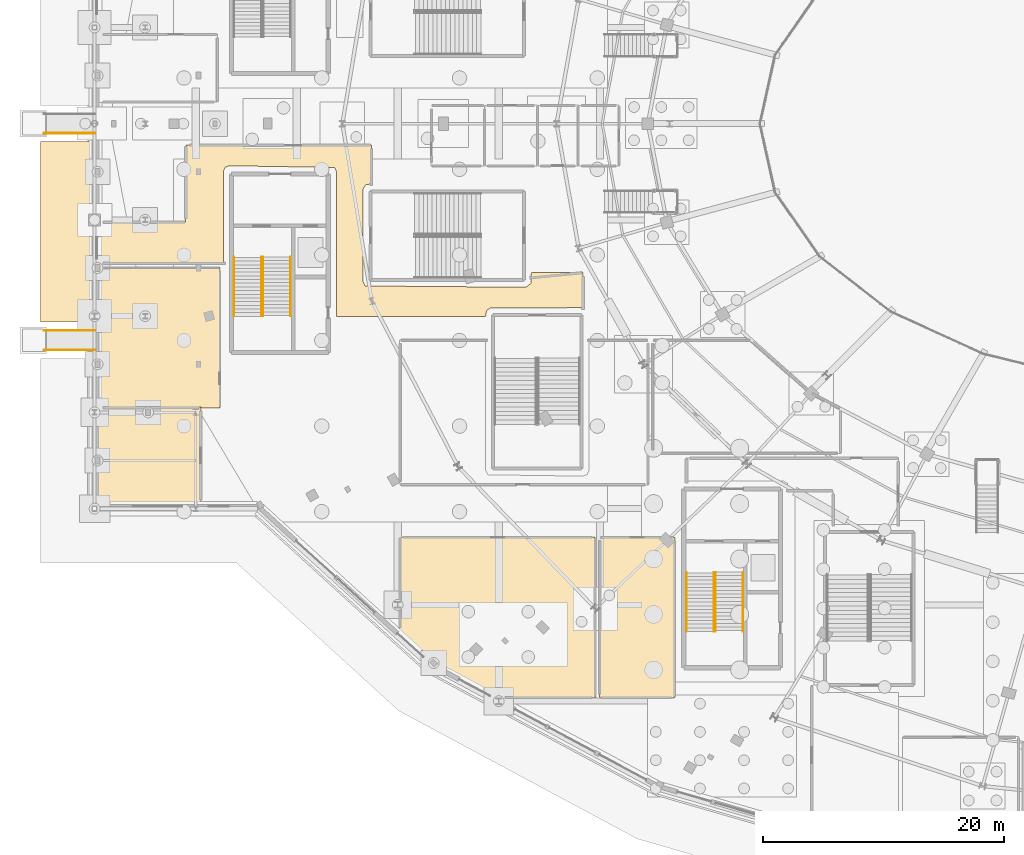
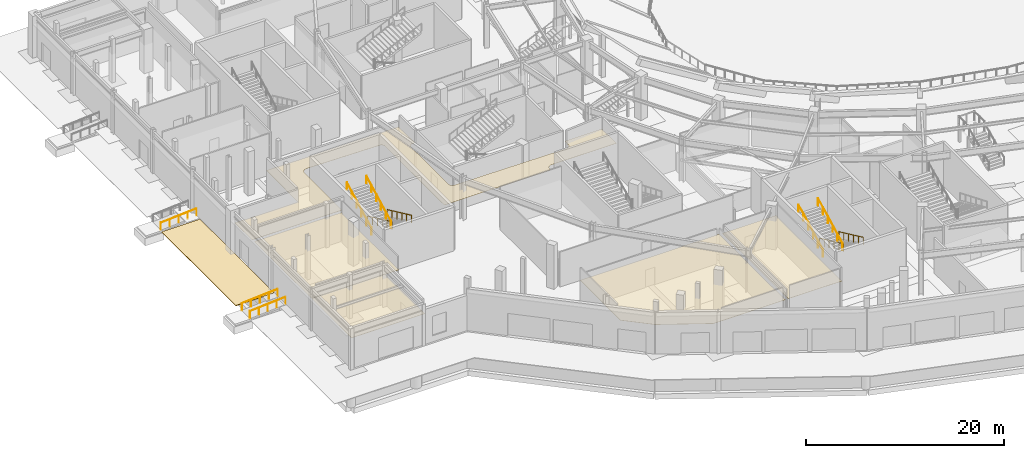
# One storey, part 69 of 93: 11 railings, 6 coverings.
"""IFC4 building model written with IfcOpenShell, lengths in metres."""

from ifc_helpers import new_model, si_unit, direction, frame, origin, origin_2d, place, context, subcontext, project, spatial, polyline, circle, outline, extrude, material, layer, layer_set, type_object, element, save


model = new_model("IFC4")

# Units and contexts
model_context = context("Model", 3, precision=1e-05, world=origin(), true_north=direction((0.0, 1.0)))
body_context = subcontext(model_context, "Body", "Model", "MODEL_VIEW")
ifc_project = project(units=[si_unit("LENGTHUNIT", "METRE"), si_unit("AREAUNIT", "SQUARE_METRE"), si_unit("VOLUMEUNIT", "CUBIC_METRE"), si_unit("PLANEANGLEUNIT", "RADIAN"), si_unit("MASSUNIT", "GRAM", prefix="KILO")], contexts=[model_context])

# Site, building, storey
site_placement = place(None, origin())
site = spatial("IfcSite", under=ifc_project, at=site_placement, CompositionType="ELEMENT")
building_placement = place(site_placement, origin())
building = spatial("IfcBuilding", under=site, at=building_placement, Name="Kalgoora Escarpment Arena", CompositionType="ELEMENT")
storey_placement = place(building_placement, origin())
storey = spatial("IfcBuildingStorey", under=building, at=storey_placement, Name="L00", CompositionType="ELEMENT", Elevation=0.0)

# Coverings
ifc_material_1 = material(Name="Perforated acoustic mineral-fibre ceiling tile")
ifc_layer_1 = layer(ifc_material_1, 0.02490234375)
ifc_layer_set_1 = layer_set([ifc_layer_1], Name="COV-CEIL-ACOUSTIC")
covering_type_1 = type_object("IfcCoveringType", Name="COV-CEIL-ACOUSTIC", PredefinedType="CEILING", material=ifc_layer_set_1)
covering_1_placement = place(storey_placement, frame((0.0, 0.0, 3.47998046875)))
element("IfcCovering", 1, at=covering_1_placement, inside=storey, type_object=covering_type_1, Name="L00 Fire Control Centre acoustic suspended ceiling", PredefinedType="CEILING", context=body_context, shape_type="SweptSolid", body=[
    extrude(outline(polyline([(0.2607421875, 40.40771484375), (8.828369140625, 40.42822265625), (8.828369140625, 32.37158203125), (0.271728515625, 32.37158203125), (0.2607421875, 40.40771484375)])), origin(), (0.0, 0.0, 1.0), 0.02490234375),
])
covering_2_placement = place(storey_placement, frame((0.0, 0.0, 3.47998046875)))
element("IfcCovering", 2, at=covering_2_placement, inside=storey, type_object=covering_type_1, Name="L00 Home Athlete Dressing Room acoustic suspended ceiling", PredefinedType="CEILING", context=body_context, shape_type="SweptSolid", body=[
    extrude(outline(polyline([(41.60791015625, 29.63916015625), (41.618896484375, 16.2646484375), (33.227783203125, 16.260009765625), (28.0283203125, 19.051025390625), (25.360107421875, 21.48388671875), (25.381103515625, 29.63525390625), (41.60791015625, 29.63916015625)])), origin(), (0.0, 0.0, 1.0), 0.02490234375),
])
covering_3_placement = place(storey_placement, frame((0.0, 0.0, 3.47998046875)))
element("IfcCovering", 3, at=covering_3_placement, inside=storey, type_object=covering_type_1, Name="L00 Away Athlete Dressing Room acoustic suspended ceiling", PredefinedType="CEILING", context=body_context, shape_type="SweptSolid", body=[
    extrude(outline(polyline([(41.960693359375, 29.60791015625), (48.237060546875, 29.615234375), (48.21533203125, 16.262939453125), (41.962890625, 16.28466796875), (41.960693359375, 29.60791015625)])), origin(), (0.0, 0.0, 1.0), 0.02490234375),
])
covering_4_placement = place(storey_placement, frame((0.0, 0.0, 3.47998046875)))
element("IfcCovering", 4, at=covering_4_placement, inside=storey, type_object=covering_type_1, Name="L00 Security Marshalling Office acoustic suspended ceiling", PredefinedType="CEILING", context=body_context, shape_type="SweptSolid", body=[
    extrude(outline(polyline([(0.2607421875, 52.0078125), (10.430908203125, 52.025390625), (10.42529296875, 40.368896484375), (0.26904296875, 40.45458984375), (0.2607421875, 52.0078125)])), origin(), (0.0, 0.0, 1.0), 0.02490234375),
])
covering_5_placement = place(storey_placement, frame((0.0, 0.0, 3.47998046875)))
element("IfcCovering", 5, at=covering_5_placement, inside=storey, type_object=covering_type_1, Name="L00 West Protected Exit Passageway acoustic suspended ceiling", PredefinedType="CEILING", context=body_context, shape_type="SweptSolid", body=[
    extrude(outline(polyline([(0.216064453125, 52.360107421875), (0.201171875, 55.835205078125), (7.56005859375, 55.840087890625), (7.584716796875, 62.237060546875), (23.00390625, 62.23974609375), (23.047119140625, 59.0), (22.522216796875, 58.915771484375), (22.300048828125, 58.5), (22.300048828125, 50.89990234375), (22.48291015625, 50.513427734375), (35.84912109375, 50.40234375), (36.261962890625, 50.708740234375), (36.300048828125, 51.639892578125), (40.60400390625, 51.639892578125), (40.639892578125, 48.697998046875), (32.950927734375, 48.697509765625), (32.584228515625, 48.477783203125), (32.5, 47.9599609375), (20.10009765625, 47.9599609375), (20.10009765625, 60.0), (19.95361328125, 60.353515625), (11.199951171875, 60.5), (10.846435546875, 60.353515625), (10.699951171875, 60.0), (10.699951171875, 52.360107421875), (0.216064453125, 52.360107421875)])), origin(), (0.0, 0.0, 1.0), 0.02490234375),
])
ifc_material_2 = material(Name="Honed Kimberley sandstone paving", Category="masonry")
ifc_layer_2 = layer(ifc_material_2, 0.06494140625)
ifc_layer_set_2 = layer_set([ifc_layer_2], Name="COV-PAVING-FORECOURT")
covering_type_2 = type_object("IfcCoveringType", Name="COV-PAVING-FORECOURT", PredefinedType="USERDEFINED", material=ifc_layer_set_2)
covering_6_placement = place(storey_placement, frame((0.0, 0.0, -0.06494140625)))
element("IfcCovering", 6, at=covering_6_placement, inside=storey, type_object=covering_type_2, Name="Perimeter pedestrian egress apron paving 02", ObjectType="PAVING", PredefinedType="USERDEFINED", context=body_context, shape_type="SweptSolid", body=[
    extrude(outline(polyline([(-0.02001953125, 62.5), (-0.02001953125, 47.5), (-4.5, 47.5), (-4.5, 62.5), (-0.02001953125, 62.5)])), origin(), (0.0, 0.0, 1.0), 0.06494140625),
])

# Railings
ifc_material_3 = material(Name="Brushed stainless steel 316 handrail", Category="steel")
railing_type = type_object("IfcRailingType", Name="RAL-HAND-920", PredefinedType="HANDRAIL", material=ifc_material_3)
for number, where, name in (
    (7, (16.300048828125, 52.909912109375, 0.37890625), "ST02 L00 pitched stair handrail F1L"),
    (8, (14.014892578125, 52.909912109375, 0.37890625), "ST02 L00 pitched stair handrail F1R"),
):
    element("IfcRailing", number, at=place(storey_placement, frame(where)), inside=storey, type_object=railing_type, Name=name, PredefinedType="HANDRAIL", context=body_context, shape_type="SweptSolid", body=[
        extrude(circle(Radius=0.02392578125, at=origin_2d()), frame((0.0, 0.0, 0.89599609375), z_axis=(0.0, -0.906909903537, 0.421324609852), x_axis=(1.0, 0.0, 0.0)), (0.0, 0.0, 1.0), 5.413818359375),
        extrude(circle(Radius=0.02099609375, at=origin_2d()), origin(), (0.0, 0.0, 1.0), 0.871826171875),
        extrude(circle(Radius=0.02099609375, at=origin_2d()), frame((0.0, -0.98193359375, 0.456298828125)), (0.0, 0.0, 1.0), 0.871826171875),
        extrude(circle(Radius=0.02099609375, at=origin_2d()), frame((0.0, -1.9638671875, 0.912353515625)), (0.0, 0.0, 1.0), 0.871826171875),
        extrude(circle(Radius=0.02099609375, at=origin_2d()), frame((0.0, -2.946044921875, 1.36865234375)), (0.0, 0.0, 1.0), 0.871826171875),
        extrude(circle(Radius=0.02099609375, at=origin_2d()), frame((0.0, -3.927978515625, 1.82470703125)), (0.0, 0.0, 1.0), 0.871826171875),
        extrude(circle(Radius=0.02099609375, at=origin_2d()), frame((0.0, -4.909912109375, 2.281005859375)), (0.0, 0.0, 1.0), 0.871826171875),
    ])
for number, where, name in (
    (9, (13.885009765625, 48.0, 2.81884765625), "ST02 L00 pitched stair handrail F2L"),
    (10, (11.60009765625, 48.0, 2.81884765625), "ST02 L00 pitched stair handrail F2R"),
):
    element("IfcRailing", number, at=place(storey_placement, frame(where)), inside=storey, type_object=railing_type, Name=name, PredefinedType="HANDRAIL", context=body_context, shape_type="SweptSolid", body=[
        extrude(circle(Radius=0.02392578125, at=origin_2d()), frame((0.0, 0.0, 0.89599609375), z_axis=(0.0, 0.88809582064, 0.459658365921), x_axis=(-1.0, 0.0, 0.0)), (0.0, 0.0, 1.0), 5.528564453125),
        extrude(circle(Radius=0.02099609375, at=origin_2d()), origin(), (0.0, 0.0, 1.0), 0.871826171875),
        extrude(circle(Radius=0.02099609375, at=origin_2d()), frame((0.0, 0.98193359375, 0.50830078125)), (0.0, 0.0, 1.0), 0.871826171875),
        extrude(circle(Radius=0.02099609375, at=origin_2d()), frame((0.0, 1.9638671875, 1.0166015625)), (0.0, 0.0, 1.0), 0.871826171875),
        extrude(circle(Radius=0.02099609375, at=origin_2d()), frame((0.0, 2.946044921875, 1.524658203125)), (0.0, 0.0, 1.0), 0.871826171875),
        extrude(circle(Radius=0.02099609375, at=origin_2d()), frame((0.0, 3.927978515625, 2.032958984375)), (0.0, 0.0, 1.0), 0.871826171875),
        extrude(circle(Radius=0.02099609375, at=origin_2d()), frame((0.0, 4.909912109375, 2.541259765625)), (0.0, 0.0, 1.0), 0.871826171875),
    ])
for number, where, name in (
    (11, (53.89990234375, 26.7099609375, 0.37890625), "ST05 L00 pitched stair handrail F1L"),
    (12, (51.6201171875, 26.7099609375, 0.37890625), "ST05 L00 pitched stair handrail F1R"),
):
    element("IfcRailing", number, at=place(storey_placement, frame(where)), inside=storey, type_object=railing_type, Name=name, PredefinedType="HANDRAIL", context=body_context, shape_type="SweptSolid", body=[
        extrude(circle(Radius=0.02392578125, at=origin_2d()), frame((0.0, 0.0, 0.89599609375), z_axis=(0.0, -0.906909903537, 0.421324609852), x_axis=(1.0, 0.0, 0.0)), (0.0, 0.0, 1.0), 5.413818359375),
        extrude(circle(Radius=0.02099609375, at=origin_2d()), origin(), (0.0, 0.0, 1.0), 0.871826171875),
        extrude(circle(Radius=0.02099609375, at=origin_2d()), frame((0.0, -0.98193359375, 0.456298828125)), (0.0, 0.0, 1.0), 0.871826171875),
        extrude(circle(Radius=0.02099609375, at=origin_2d()), frame((0.0, -1.9638671875, 0.912353515625)), (0.0, 0.0, 1.0), 0.871826171875),
        extrude(circle(Radius=0.02099609375, at=origin_2d()), frame((0.0, -2.946044921875, 1.36865234375)), (0.0, 0.0, 1.0), 0.871826171875),
        extrude(circle(Radius=0.02099609375, at=origin_2d()), frame((0.0, -3.927978515625, 1.82470703125)), (0.0, 0.0, 1.0), 0.871826171875),
        extrude(circle(Radius=0.02099609375, at=origin_2d()), frame((0.0, -4.909912109375, 2.281005859375)), (0.0, 0.0, 1.0), 0.871826171875),
    ])
for number, where, name in (
    (13, (51.47998046875, 21.800048828125, 2.81884765625), "ST05 L00 pitched stair handrail F2L"),
    (14, (49.199951171875, 21.800048828125, 2.81884765625), "ST05 L00 pitched stair handrail F2R"),
):
    element("IfcRailing", number, at=place(storey_placement, frame(where)), inside=storey, type_object=railing_type, Name=name, PredefinedType="HANDRAIL", context=body_context, shape_type="SweptSolid", body=[
        extrude(circle(Radius=0.02392578125, at=origin_2d()), frame((0.0, 0.0, 0.89599609375), z_axis=(0.0, 0.88809582064, 0.459658365921), x_axis=(-1.0, 0.0, 0.0)), (0.0, 0.0, 1.0), 5.528564453125),
        extrude(circle(Radius=0.02099609375, at=origin_2d()), origin(), (0.0, 0.0, 1.0), 0.871826171875),
        extrude(circle(Radius=0.02099609375, at=origin_2d()), frame((0.0, 0.98193359375, 0.50830078125)), (0.0, 0.0, 1.0), 0.871826171875),
        extrude(circle(Radius=0.02099609375, at=origin_2d()), frame((0.0, 1.9638671875, 1.0166015625)), (0.0, 0.0, 1.0), 0.871826171875),
        extrude(circle(Radius=0.02099609375, at=origin_2d()), frame((0.0, 2.946044921875, 1.524658203125)), (0.0, 0.0, 1.0), 0.871826171875),
        extrude(circle(Radius=0.02099609375, at=origin_2d()), frame((0.0, 3.927978515625, 2.032958984375)), (0.0, 0.0, 1.0), 0.871826171875),
        extrude(circle(Radius=0.02099609375, at=origin_2d()), frame((0.0, 4.909912109375, 2.541259765625)), (0.0, 0.0, 1.0), 0.871826171875),
    ])
for number, where, name in (
    (15, (-4.199951171875, 45.199951171875, -0.300048828125), "Accessible ramp RMP-01 handrail L"),
    (16, (-4.199951171875, 46.800048828125, -0.300048828125), "Accessible ramp RMP-01 handrail R"),
    (17, (-4.199951171875, 63.199951171875, -0.300048828125), "Accessible ramp RMP-02 handrail L"),
):
    element("IfcRailing", number, at=place(storey_placement, frame(where)), inside=storey, type_object=railing_type, Name=name, PredefinedType="HANDRAIL", context=body_context, shape_type="SweptSolid", body=[
        extrude(circle(Radius=0.02392578125, at=origin_2d()), frame((0.0, 0.0, 0.89599609375), z_axis=(0.997457816785, 0.0, 0.071259411546), x_axis=(0.0, 1.0, 0.0)), (0.0, 0.0, 1.0), 4.210693359375),
        extrude(circle(Radius=0.02099609375, at=origin_2d()), origin(), (0.0, 0.0, 1.0), 0.871826171875),
        extrude(circle(Radius=0.02099609375, at=origin_2d()), frame((1.050048828125, 0.0, 0.074951171875)), (0.0, 0.0, 1.0), 0.871826171875),
        extrude(circle(Radius=0.02099609375, at=origin_2d()), frame((2.10009765625, 0.0, 0.14990234375)), (0.0, 0.0, 1.0), 0.871826171875),
        extrude(circle(Radius=0.02099609375, at=origin_2d()), frame((3.14990234375, 0.0, 0.22509765625)), (0.0, 0.0, 1.0), 0.871826171875),
        extrude(circle(Radius=0.02099609375, at=origin_2d()), frame((4.199951171875, 0.0, 0.300048828125)), (0.0, 0.0, 1.0), 0.871826171875),
    ])

save(model, "model.ifc")
